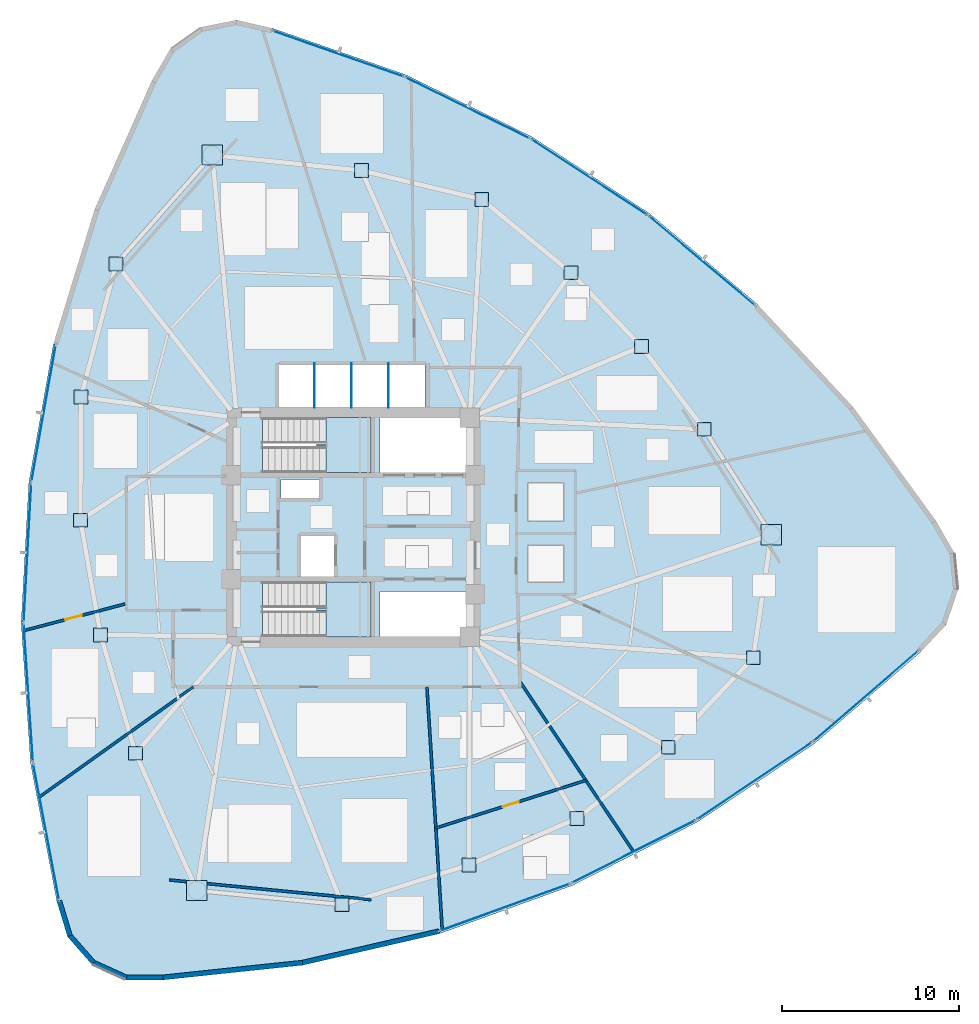
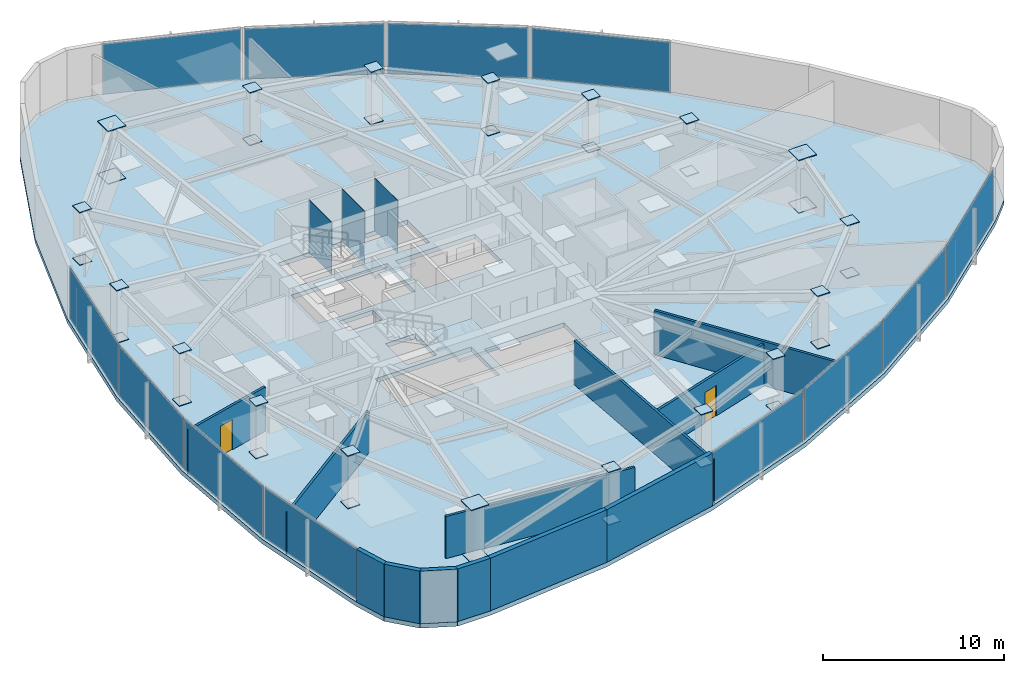
# One storey, part 10 of 17: 51 plates, 12 walls, 3 slabs, 2 doors, 2 openings, 14 elements without a shape of their own.
"""IFC4 building model written with IfcOpenShell, lengths in metres."""

from ifc_helpers import new_model, si_unit, direction, frame, frame_2d, origin, origin_2d, place, context, subcontext, project, spatial, polyline, rectangle, outline, extrude, source, transform, mapped, material, layer, layer_set, type_object, type_shapes, element, fill, aggregate, save


model = new_model("IFC4")

# Units and contexts
model_context = context("Model", 3, precision=1e-05, world=origin(), true_north=direction((0.0, 1.0)))
body_context = subcontext(model_context, "Body", "Model", "MODEL_VIEW")
ifc_project = project(units=[si_unit("LENGTHUNIT", "METRE"), si_unit("AREAUNIT", "SQUARE_METRE"), si_unit("VOLUMEUNIT", "CUBIC_METRE"), si_unit("PLANEANGLEUNIT", "RADIAN"), si_unit("MASSUNIT", "GRAM", prefix="KILO")], contexts=[model_context])

# Site, building, storey
site_placement = place(None, origin())
site = spatial("IfcSite", under=ifc_project, at=site_placement, CompositionType="ELEMENT")
building_placement = place(site_placement, origin())
building = spatial("IfcBuilding", under=site, at=building_placement, Name="Tavelor Broadcast Tower", CompositionType="ELEMENT")
storey_placement = place(building_placement, frame((0.0, 0.0, 131.0)))
storey = spatial("IfcBuildingStorey", under=building, at=storey_placement, Name="L30", CompositionType="ELEMENT", Elevation=131.0)

# Stair, slab
ifc_material_1 = material(Name="Concrete C40/50", Category="concrete")
stair_type = type_object("IfcStairType", Name="Reinforced Concrete Protected Dogleg Stair 1450 mm", PredefinedType="HALF_TURN_STAIR", material=ifc_material_1)
stair_1_placement = place(storey_placement, origin())
stair_1 = element("IfcStair", 1, at=stair_1_placement, inside=storey, type_object=stair_type, Name="L30 Protected Core Exit Stair ST1", PredefinedType="HALF_TURN_STAIR")
ifc_layer_1 = layer(ifc_material_1, 0.199951171875)
ifc_layer_set_1 = layer_set([ifc_layer_1], Name="Concrete C40/50")
slab_type_1 = type_object("IfcSlabType", Name="Reinforced Concrete Stair Half-Landing Slab 200 mm", PredefinedType="LANDING", material=ifc_layer_set_1)
slab_1_placement = place(storey_placement, frame((0.0, 0.0, 1.72509765625)))
slab_1 = element("IfcSlab", 2, at=slab_1_placement, type_object=slab_type_1, Name="ST1 landing 1", PredefinedType="LANDING", context=body_context, shape_type="SweptSolid", body=[
    extrude(outline(polyline([(48.445068359375, 49.590087890625), (48.445068359375, 48.094970703125), (51.0048828125, 48.094970703125), (51.0048828125, 51.205078125), (48.445068359375, 51.205078125), (48.445068359375, 49.7099609375), (47.905029296875, 49.7099609375), (47.905029296875, 49.590087890625), (48.445068359375, 49.590087890625)])), origin(), (0.0, 0.0, 1.0), 0.199951171875),
])
aggregate(stair_1, [slab_1])

stair_2_placement = place(storey_placement, origin())
stair_2 = element("IfcStair", 3, at=stair_2_placement, inside=storey, type_object=stair_type, Name="L30 Protected Core Exit Stair ST2", PredefinedType="HALF_TURN_STAIR")
slab_2_placement = place(storey_placement, frame((0.0, 0.0, 1.72509765625)))
slab_2 = element("IfcSlab", 4, at=slab_2_placement, type_object=slab_type_1, Name="ST2 landing 1", PredefinedType="LANDING", context=body_context, shape_type="SweptSolid", body=[
    extrude(outline(polyline([(48.445068359375, 40.2900390625), (48.445068359375, 38.794921875), (51.0048828125, 38.794921875), (51.0048828125, 41.905029296875), (48.445068359375, 41.905029296875), (48.445068359375, 40.409912109375), (47.905029296875, 40.409912109375), (47.905029296875, 40.2900390625), (48.445068359375, 40.2900390625)])), origin(), (0.0, 0.0, 1.0), 0.199951171875),
])
aggregate(stair_2, [slab_2])

# Slab
ifc_layer_2 = layer(ifc_material_1, 0.300048828125)
ifc_layer_set_2 = layer_set([ifc_layer_2], Name="Concrete C40/50")
slab_type_2 = type_object("IfcSlabType", Name="Tower Composite Floor Slab 300 mm", PredefinedType="FLOOR", material=ifc_layer_set_2)
slab_3_placement = place(storey_placement, frame((0.0, 0.0, -0.300048828125)))
element("IfcSlab", 5, at=slab_3_placement, inside=storey, type_object=slab_type_2, Name="L30 Structural Floor Slab", PredefinedType="FLOOR", context=body_context, shape_type="SweptSolid", body=[
    extrude(outline(polyline([(45.437744140625, 73.257080078125), (43.39794921875, 73.72998046875), (41.34423828125, 73.3212890625), (39.640625, 72.10400390625), (38.5888671875, 70.293212890625), (35.35009765625, 63.010986328125), (33.016357421875, 55.39013671875), (31.6220703125, 47.54296875), (31.187744140625, 39.584716796875), (31.719482421875, 31.63232421875), (33.209716796875, 23.802734375), (33.8203125, 21.7998046875), (35.20068359375, 20.2255859375), (37.10693359375, 19.35888671875), (39.200927734375, 19.353271484375), (47.126953125, 20.189697265625), (54.893798828125, 21.97900390625), (62.38671875, 24.6953125), (69.49609375, 28.298095703125), (76.116943359375, 32.73486328125), (82.152587890625, 37.940185546875), (83.581787109375, 39.47021484375), (84.2548828125, 41.453125), (84.052490234375, 43.537109375), (83.01025390625, 45.353515625), (78.322998046875, 51.79931640625), (72.889892578125, 57.630859375), (66.791259765625, 62.761962890625), (60.1162109375, 67.1171875), (52.96337890625, 70.6328125), (45.437744140625, 73.257080078125)]), holes=[polyline([(56.60009765625, 41.35009765625), (56.60009765625, 38.800048828125), (51.52001953125, 38.800048828125), (51.52001953125, 41.35009765625), (56.60009765625, 41.35009765625)]), polyline([(50.99609375, 38.803955078125), (44.85400390625, 38.803955078125), (44.85400390625, 41.89599609375), (50.99609375, 41.89599609375), (50.99609375, 38.803955078125)]), polyline([(47.050048828125, 42.199951171875), (47.050048828125, 44.550048828125), (48.949951171875, 44.550048828125), (48.949951171875, 42.199951171875), (47.050048828125, 42.199951171875)]), polyline([(48.050048828125, 46.64990234375), (45.89990234375, 46.64990234375), (45.89990234375, 47.699951171875), (48.050048828125, 47.699951171875), (48.050048828125, 46.64990234375)]), polyline([(50.99609375, 48.10400390625), (44.85400390625, 48.10400390625), (44.85400390625, 51.196044921875), (50.99609375, 51.196044921875), (50.99609375, 48.10400390625)]), polyline([(56.60009765625, 48.10009765625), (51.52001953125, 48.10009765625), (51.52001953125, 51.199951171875), (56.60009765625, 51.199951171875), (56.60009765625, 48.10009765625)]), polyline([(54.050048828125, 51.800048828125), (45.800048828125, 51.800048828125), (45.800048828125, 54.25), (54.050048828125, 54.25), (54.050048828125, 51.800048828125)])]), origin(), (0.0, 0.0, 1.0), 0.300048828125),
])

# Plates
ifc_material_2 = material(Name="Steel S460", Category="steel")
ifc_layer_3 = layer(ifc_material_2, 0.050048828125)
ifc_layer_set_3 = layer_set([ifc_layer_3], Name="Steel S460")
plate_type_1 = type_object("IfcPlateType", Name="Tube Hollow-End Cap Plate KN05 700x700x50", PredefinedType="USERDEFINED", material=ifc_layer_set_3)
shared_shape_1 = source(origin(), body_context, "Body", "SweptSolid", [
    extrude(rectangle(XDim=1.14697265625, YDim=1.14697265625, at=origin_2d()), origin(), (0.0, 0.0, 1.0), 0.054931640625),
])
for number, where, z_axis, x_axis, name in (
    (6, (42.01123046875, 66.080078125, -0.02734375), (0.0, 0.0, 1.0), (1.0, 0.0, 0.0), "L30 Hollow End Cap Plate KN05 #855"),
    (7, (42.01123046875, 66.080078125, 3.5224609375), (0.0, 0.0, 1.0), (1.0, 0.0, 0.0), "L30 Hollow End Cap Plate KN05 #856"),
    (8, (41.138671875, 24.423828125, -0.02734375), (0.0, 0.0, 1.0), (1.0, 0.0, 0.0), "L30 Hollow End Cap Plate KN05 #867"),
    (9, (41.138671875, 24.423828125, 3.5224609375), (0.0, 0.0, 1.0), (1.0, 0.0, 0.0), "L30 Hollow End Cap Plate KN05 #868"),
    (10, (73.676025390625, 44.57958984375, -0.02734375), (0.0, 0.0, 1.0), (1.0, 0.0, 0.0), "L30 Hollow End Cap Plate KN05 #879"),
    (11, (73.676025390625, 44.57958984375, 3.5224609375), (0.0, 0.0, 1.0), (1.0, 0.0, 0.0), "L30 Hollow End Cap Plate KN05 #880"),
):
    element("IfcPlate", number, at=place(storey_placement, frame(where, z_axis=z_axis, x_axis=x_axis)), inside=storey, type_object=plate_type_1, Name=name, ObjectType="CAP PLATE", PredefinedType="USERDEFINED", context=body_context, shape_type="MappedRepresentation", body=[
        mapped(shared_shape_1, transform((0.0, 0.0, 0.0), scale=1.0)),
    ])
shared_shape_2 = source(origin(), body_context, "Body", "SweptSolid", [
    extrude(rectangle(XDim=0.780029296875, YDim=0.780029296875, at=origin_2d()), origin(), (0.0, 0.0, 1.0), 0.054931640625),
])
type_shapes(plate_type_1, [shared_shape_1, shared_shape_2])
for number, where, z_axis, x_axis, name in (
    (12, (36.567626953125, 59.91064453125, -0.02734375), (0.0, 0.0, 1.0), (1.0, 0.0, 0.0), "L30 Hollow End Cap Plate KN05 #857"),
    (13, (36.567626953125, 59.91064453125, 3.5224609375), (0.0, 0.0, 1.0), (1.0, 0.0, 0.0), "L30 Hollow End Cap Plate KN05 #858"),
    (14, (34.5751953125, 52.37939453125, -0.02734375), (0.0, 0.0, 1.0), (1.0, 0.0, 0.0), "L30 Hollow End Cap Plate KN05 #859"),
    (15, (34.5751953125, 52.37939453125, 3.5224609375), (0.0, 0.0, 1.0), (1.0, 0.0, 0.0), "L30 Hollow End Cap Plate KN05 #860"),
    (16, (34.54638671875, 45.399169921875, -0.02734375), (0.0, 0.0, 1.0), (1.0, 0.0, 0.0), "L30 Hollow End Cap Plate KN05 #861"),
    (17, (34.54638671875, 45.399169921875, 3.5224609375), (0.0, 0.0, 1.0), (1.0, 0.0, 0.0), "L30 Hollow End Cap Plate KN05 #862"),
    (18, (35.680908203125, 38.89990234375, -0.02734375), (0.0, 0.0, 1.0), (1.0, 0.0, 0.0), "L30 Hollow End Cap Plate KN05 #863"),
    (19, (35.680908203125, 38.89990234375, 3.5224609375), (0.0, 0.0, 1.0), (1.0, 0.0, 0.0), "L30 Hollow End Cap Plate KN05 #864"),
    (20, (37.668212890625, 32.1904296875, -0.02734375), (0.0, 0.0, 1.0), (1.0, 0.0, 0.0), "L30 Hollow End Cap Plate KN05 #865"),
    (21, (37.668212890625, 32.1904296875, 3.5224609375), (0.0, 0.0, 1.0), (1.0, 0.0, 0.0), "L30 Hollow End Cap Plate KN05 #866"),
    (22, (49.366455078125, 23.618896484375, -0.02734375), (0.0, 0.0, 1.0), (1.0, 0.0, 0.0), "L30 Hollow End Cap Plate KN05 #869"),
    (23, (49.366455078125, 23.618896484375, 3.5224609375), (0.0, 0.0, 1.0), (1.0, 0.0, 0.0), "L30 Hollow End Cap Plate KN05 #870"),
    (24, (56.56103515625, 25.872802734375, -0.02734375), (0.0, 0.0, 1.0), (1.0, 0.0, 0.0), "L30 Hollow End Cap Plate KN05 #871"),
    (25, (56.56103515625, 25.872802734375, 3.5224609375), (0.0, 0.0, 1.0), (1.0, 0.0, 0.0), "L30 Hollow End Cap Plate KN05 #872"),
    (26, (62.669189453125, 28.503173828125, -0.02734375), (0.0, 0.0, 1.0), (1.0, 0.0, 0.0), "L30 Hollow End Cap Plate KN05 #873"),
    (27, (62.669189453125, 28.503173828125, 3.5224609375), (0.0, 0.0, 1.0), (1.0, 0.0, 0.0), "L30 Hollow End Cap Plate KN05 #874"),
    (28, (67.84228515625, 32.53173828125, -0.02734375), (0.0, 0.0, 1.0), (1.0, 0.0, 0.0), "L30 Hollow End Cap Plate KN05 #875"),
    (29, (67.84228515625, 32.53173828125, 3.5224609375), (0.0, 0.0, 1.0), (1.0, 0.0, 0.0), "L30 Hollow End Cap Plate KN05 #876"),
    (30, (72.6591796875, 37.607421875, -0.02734375), (0.0, 0.0, 1.0), (1.0, 0.0, 0.0), "L30 Hollow End Cap Plate KN05 #877"),
    (31, (72.6591796875, 37.607421875, 3.5224609375), (0.0, 0.0, 1.0), (1.0, 0.0, 0.0), "L30 Hollow End Cap Plate KN05 #878"),
    (32, (69.885986328125, 50.544189453125, -0.02734375), (0.0, 0.0, 1.0), (1.0, 0.0, 0.0), "L30 Hollow End Cap Plate KN05 #881"),
    (33, (69.885986328125, 50.544189453125, 3.5224609375), (0.0, 0.0, 1.0), (1.0, 0.0, 0.0), "L30 Hollow End Cap Plate KN05 #882"),
    (34, (66.322021484375, 55.228759765625, -0.02734375), (0.0, 0.0, 1.0), (1.0, 0.0, 0.0), "L30 Hollow End Cap Plate KN05 #883"),
    (35, (66.322021484375, 55.228759765625, 3.5224609375), (0.0, 0.0, 1.0), (1.0, 0.0, 0.0), "L30 Hollow End Cap Plate KN05 #884"),
    (36, (62.330810546875, 59.416259765625, -0.02734375), (0.0, 0.0, 1.0), (1.0, 0.0, 0.0), "L30 Hollow End Cap Plate KN05 #885"),
    (37, (62.330810546875, 59.416259765625, 3.5224609375), (0.0, 0.0, 1.0), (1.0, 0.0, 0.0), "L30 Hollow End Cap Plate KN05 #886"),
    (38, (57.276611328125, 63.568359375, -0.02734375), (0.0, 0.0, 1.0), (1.0, 0.0, 0.0), "L30 Hollow End Cap Plate KN05 #887"),
    (39, (57.276611328125, 63.568359375, 3.5224609375), (0.0, 0.0, 1.0), (1.0, 0.0, 0.0), "L30 Hollow End Cap Plate KN05 #888"),
    (40, (50.472412109375, 65.2021484375, -0.02734375), (0.0, 0.0, 1.0), (1.0, 0.0, 0.0), "L30 Hollow End Cap Plate KN05 #889"),
    (41, (50.472412109375, 65.2021484375, 3.5224609375), (0.0, 0.0, 1.0), (1.0, 0.0, 0.0), "L30 Hollow End Cap Plate KN05 #890"),
):
    element("IfcPlate", number, at=place(storey_placement, frame(where, z_axis=z_axis, x_axis=x_axis)), inside=storey, type_object=plate_type_1, Name=name, ObjectType="CAP PLATE", PredefinedType="USERDEFINED", context=body_context, shape_type="MappedRepresentation", body=[
        mapped(shared_shape_2, transform((0.0, 0.0, 0.0), scale=1.0)),
    ])
ifc_material_3 = material(Name="Steel S355", Category="steel")
ifc_layer_4 = layer(ifc_material_3, 0.011962890625)
ifc_layer_set_4 = layer_set([ifc_layer_4], Name="Steel S355")
plate_type_2 = type_object("IfcPlateType", Name="Hoistway Steel Separator Screen 12 mm", PredefinedType="SHEET", material=ifc_layer_set_4)
shared_shape_3 = source(origin(), body_context, "Body", "SweptSolid", [
    extrude(rectangle(XDim=0.02001953125, YDim=2.52001953125, at=origin_2d()), origin(), (0.0, 0.0, 1.0), 3.550048828125),
])
type_shapes(plate_type_2, [shared_shape_3])
for number, where, z_axis, x_axis, name in (
    (42, (47.800048828125, 53.0400390625, 0.0), (0.0, 0.0, 1.0), (1.0, 0.0, 0.0), "L30 High-Rise Hoistway Separator Screen 1"),
    (43, (49.89990234375, 53.0400390625, 0.0), (0.0, 0.0, 1.0), (1.0, 0.0, 0.0), "L30 High-Rise Hoistway Separator Screen 2"),
    (44, (52.0, 53.0400390625, 0.0), (0.0, 0.0, 1.0), (1.0, 0.0, 0.0), "L30 High-Rise Hoistway Separator Screen 3"),
):
    element("IfcPlate", number, at=place(storey_placement, frame(where, z_axis=z_axis, x_axis=x_axis)), inside=storey, type_object=plate_type_2, Name=name, PredefinedType="SHEET", context=body_context, shape_type="MappedRepresentation", body=[
        mapped(shared_shape_3, transform((0.0, 0.0, 0.0), scale=1.0)),
    ])

# Curtain wall, plate
ifc_material_4 = material(Name="Architectural Anodized Aluminium", Category="aluminium")
ifc_layer_5 = layer(ifc_material_4, 0.18994140625)
ifc_layer_set_5 = layer_set([ifc_layer_5], Name="Architectural Anodized Aluminium")
curtain_wall_type = type_object("IfcCurtainWallType", Name="Tower Mid-Zone Acoustic Curtain Wall CW03", PredefinedType="NOTDEFINED", material=ifc_layer_set_5)
curtain_wall_1_placement = place(storey_placement, origin())
curtain_wall_1 = element("IfcCurtainWall", 45, at=curtain_wall_1_placement, inside=storey, type_object=curtain_wall_type, Name="L30 Curtain Wall CW03 Run 301", PredefinedType="NOTDEFINED")
ifc_material_5 = material(Name="Solar Control Double Glazing 30 mm", Category="glass")
ifc_layer_6 = layer(ifc_material_5, 0.030029296875)
ifc_layer_set_6 = layer_set([ifc_layer_6], Name="Solar Control Double Glazing 30 mm")
plate_type_3 = type_object("IfcPlateType", Name="CW03 Insulated Vision Glazing Panel 30 mm", PredefinedType="CURTAIN_PANEL", material=ifc_layer_set_6)
shared_shape_4 = source(origin(), body_context, "Body", "SweptSolid", [
    extrude(rectangle(XDim=7.802001953125, YDim=0.030029296875, at=origin_2d()), origin(), (0.0, 0.0, 1.0), 3.4140625),
])
plate_1_placement = place(storey_placement, frame((32.45849609375, 51.449462890625, 0.06787109375), z_axis=(0.0, 0.0, 1.0), x_axis=(-0.174940797866, -0.984578954296, 0.0)))
plate_1 = element("IfcPlate", 46, at=plate_1_placement, type_object=plate_type_3, Name="CW03 panel 1.1", PredefinedType="CURTAIN_PANEL", context=body_context, shape_type="MappedRepresentation", body=[
    mapped(shared_shape_4, transform((0.0, 0.0, 0.0), scale=1.0)),
])
aggregate(curtain_wall_1, [plate_1])

curtain_wall_2_placement = place(storey_placement, origin())
curtain_wall_2 = element("IfcCurtainWall", 47, at=curtain_wall_2_placement, inside=storey, type_object=curtain_wall_type, Name="L30 Curtain Wall CW03 Run 305", PredefinedType="NOTDEFINED")
plate_2_placement = place(storey_placement, frame((58.58544921875, 23.46630859375, 0.06787109375), z_axis=(0.0, 0.0, 1.0), x_axis=(0.940140151765, 0.340788050023, 0.0)))
plate_2 = element("IfcPlate", 48, at=plate_2_placement, type_object=plate_type_3, Name="CW03 panel 1.1", PredefinedType="CURTAIN_PANEL", context=body_context, shape_type="MappedRepresentation", body=[
    mapped(shared_shape_4, transform((0.0, 0.0, 0.0), scale=1.0)),
])
aggregate(curtain_wall_2, [plate_2])

curtain_wall_3_placement = place(storey_placement, origin())
curtain_wall_3 = element("IfcCurtainWall", 49, at=curtain_wall_3_placement, inside=storey, type_object=curtain_wall_type, Name="L30 Curtain Wall CW03 Run 309", PredefinedType="NOTDEFINED")
plate_3_placement = place(storey_placement, frame((69.756103515625, 60.084228515625, 0.06787109375), z_axis=(0.0, 0.0, 1.0), x_axis=(-0.765197618699, 0.643795467783, 0.0)))
plate_3 = element("IfcPlate", 50, at=plate_3_placement, type_object=plate_type_3, Name="CW03 panel 1.1", PredefinedType="CURTAIN_PANEL", context=body_context, shape_type="MappedRepresentation", body=[
    mapped(shared_shape_4, transform((0.0, 0.0, 0.0), scale=1.0)),
])
aggregate(curtain_wall_3, [plate_3])

curtain_wall_4_placement = place(storey_placement, origin())
curtain_wall_4 = element("IfcCurtainWall", 51, at=curtain_wall_4_placement, inside=storey, type_object=curtain_wall_type, Name="L30 Curtain Wall CW03 Run 302", PredefinedType="NOTDEFINED")
shared_shape_5 = source(origin(), body_context, "Body", "SweptSolid", [
    extrude(rectangle(XDim=7.787109375, YDim=0.030029296875, at=origin_2d()), origin(), (0.0, 0.0, 1.0), 3.4140625),
])
plate_4_placement = place(storey_placement, frame((31.544677734375, 43.55615234375, 0.06787109375), z_axis=(0.0, 0.0, 1.0), x_axis=(-0.054499041717, -0.998513822865, 0.0)))
plate_4 = element("IfcPlate", 52, at=plate_4_placement, type_object=plate_type_3, Name="CW03 panel 1.1", PredefinedType="CURTAIN_PANEL", context=body_context, shape_type="MappedRepresentation", body=[
    mapped(shared_shape_5, transform((0.0, 0.0, 0.0), scale=1.0)),
])
aggregate(curtain_wall_4, [plate_4])

curtain_wall_5_placement = place(storey_placement, origin())
curtain_wall_5 = element("IfcCurtainWall", 53, at=curtain_wall_5_placement, inside=storey, type_object=curtain_wall_type, Name="L30 Curtain Wall CW03 Run 303", PredefinedType="NOTDEFINED")
plate_5_placement = place(storey_placement, frame((31.59326171875, 35.617919921875, 0.06787109375), z_axis=(0.0, 0.0, 1.0), x_axis=(0.06671586704, -0.997772014583, 0.0)))
plate_5 = element("IfcPlate", 54, at=plate_5_placement, type_object=plate_type_3, Name="CW03 panel 1.1", PredefinedType="CURTAIN_PANEL", context=body_context, shape_type="MappedRepresentation", body=[
    mapped(shared_shape_5, transform((0.0, 0.0, 0.0), scale=1.0)),
])
aggregate(curtain_wall_5, [plate_5])

curtain_wall_6_placement = place(storey_placement, origin())
curtain_wall_6 = element("IfcCurtainWall", 55, at=curtain_wall_6_placement, inside=storey, type_object=curtain_wall_type, Name="L30 Curtain Wall CW03 Run 306", PredefinedType="NOTDEFINED")
plate_6_placement = place(storey_placement, frame((65.8779296875, 26.62158203125, 0.06787109375), z_axis=(0.0, 0.0, 1.0), x_axis=(0.891993299571, 0.452048618536, 0.0)))
plate_6 = element("IfcPlate", 56, at=plate_6_placement, type_object=plate_type_3, Name="CW03 panel 1.1", PredefinedType="CURTAIN_PANEL", context=body_context, shape_type="MappedRepresentation", body=[
    mapped(shared_shape_5, transform((0.0, 0.0, 0.0), scale=1.0)),
])
aggregate(curtain_wall_6, [plate_6])

curtain_wall_7_placement = place(storey_placement, origin())
curtain_wall_7 = element("IfcCurtainWall", 57, at=curtain_wall_7_placement, inside=storey, type_object=curtain_wall_type, Name="L30 Curtain Wall CW03 Run 307", PredefinedType="NOTDEFINED")
plate_7_placement = place(storey_placement, frame((72.728515625, 30.6328125, 0.06787109375), z_axis=(0.0, 0.0, 1.0), x_axis=(0.830727545056, 0.556679212729, 0.0)))
plate_7 = element("IfcPlate", 58, at=plate_7_placement, type_object=plate_type_3, Name="CW03 panel 1.1", PredefinedType="CURTAIN_PANEL", context=body_context, shape_type="MappedRepresentation", body=[
    mapped(shared_shape_5, transform((0.0, 0.0, 0.0), scale=1.0)),
])
aggregate(curtain_wall_7, [plate_7])

curtain_wall_8_placement = place(storey_placement, origin())
curtain_wall_8 = element("IfcCurtainWall", 59, at=curtain_wall_8_placement, inside=storey, type_object=curtain_wall_type, Name="L30 Curtain Wall CW03 Run 310", PredefinedType="NOTDEFINED")
plate_8_placement = place(storey_placement, frame((63.377197265625, 64.822265625, 0.06787109375), z_axis=(0.0, 0.0, 1.0), x_axis=(-0.837483524663, 0.546462575039, 0.0)))
plate_8 = element("IfcPlate", 60, at=plate_8_placement, type_object=plate_type_3, Name="CW03 panel 1.1", PredefinedType="CURTAIN_PANEL", context=body_context, shape_type="MappedRepresentation", body=[
    mapped(shared_shape_5, transform((0.0, 0.0, 0.0), scale=1.0)),
])
aggregate(curtain_wall_8, [plate_8])

curtain_wall_9_placement = place(storey_placement, origin())
curtain_wall_9 = element("IfcCurtainWall", 61, at=curtain_wall_9_placement, inside=storey, type_object=curtain_wall_type, Name="L30 Curtain Wall CW03 Run 311", PredefinedType="NOTDEFINED")
plate_9_placement = place(storey_placement, frame((56.478271484375, 68.74951171875, 0.06787109375), z_axis=(0.0, 0.0, 1.0), x_axis=(-0.897458179673, 0.441099553092, 0.0)))
plate_9 = element("IfcPlate", 62, at=plate_9_placement, type_object=plate_type_3, Name="CW03 panel 1.1", PredefinedType="CURTAIN_PANEL", context=body_context, shape_type="MappedRepresentation", body=[
    mapped(shared_shape_5, transform((0.0, 0.0, 0.0), scale=1.0)),
])
aggregate(curtain_wall_9, [plate_9])

curtain_wall_10_placement = place(storey_placement, origin())
curtain_wall_10 = element("IfcCurtainWall", 63, at=curtain_wall_10_placement, inside=storey, type_object=curtain_wall_type, Name="L30 Curtain Wall CW03 Run 304", PredefinedType="NOTDEFINED")
shared_shape_6 = source(origin(), body_context, "Body", "SweptSolid", [
    extrude(rectangle(XDim=7.80322265625, YDim=0.030029296875, at=origin_2d()), origin(), (0.0, 0.0, 1.0), 3.4140625),
])
plate_10_placement = place(storey_placement, frame((32.603515625, 27.73583984375, 0.06787109375), z_axis=(0.0, 0.0, 1.0), x_axis=(0.186973193071, -0.98236501621, 0.0)))
plate_10 = element("IfcPlate", 64, at=plate_10_placement, type_object=plate_type_3, Name="CW03 panel 1.1", PredefinedType="CURTAIN_PANEL", context=body_context, shape_type="MappedRepresentation", body=[
    mapped(shared_shape_6, transform((0.0, 0.0, 0.0), scale=1.0)),
])
aggregate(curtain_wall_10, [plate_10])

curtain_wall_11_placement = place(storey_placement, origin())
curtain_wall_11 = element("IfcCurtainWall", 65, at=curtain_wall_11_placement, inside=storey, type_object=curtain_wall_type, Name="L30 Curtain Wall CW03 Run 308", PredefinedType="NOTDEFINED")
shared_shape_7 = source(origin(), body_context, "Body", "SweptSolid", [
    extrude(rectangle(XDim=7.802978515625, YDim=0.030029296875, at=origin_2d()), origin(), (0.0, 0.0, 1.0), 3.4140625),
])
type_shapes(plate_type_3, [shared_shape_4, shared_shape_5, shared_shape_6, shared_shape_7])
plate_11_placement = place(storey_placement, frame((79.04931640625, 35.44873046875, 0.06787109375), z_axis=(0.0, 0.0, 1.0), x_axis=(0.757264950297, 0.65310779742, 0.0)))
plate_11 = element("IfcPlate", 66, at=plate_11_placement, type_object=plate_type_3, Name="CW03 panel 1.1", PredefinedType="CURTAIN_PANEL", context=body_context, shape_type="MappedRepresentation", body=[
    mapped(shared_shape_7, transform((0.0, 0.0, 0.0), scale=1.0)),
])
aggregate(curtain_wall_11, [plate_11])

curtain_wall_12_placement = place(storey_placement, origin())
curtain_wall_12 = element("IfcCurtainWall", 67, at=curtain_wall_12_placement, inside=storey, type_object=curtain_wall_type, Name="L30 Curtain Wall CW03 Run 312", PredefinedType="NOTDEFINED")
plate_12_placement = place(storey_placement, frame((49.14697265625, 71.8154296875, 0.06787109375), z_axis=(0.0, 0.0, 1.0), x_axis=(-0.944240257892, 0.329257248025, 0.0)))
plate_12 = element("IfcPlate", 68, at=plate_12_placement, type_object=plate_type_3, Name="CW03 panel 1.1", PredefinedType="CURTAIN_PANEL", context=body_context, shape_type="MappedRepresentation", body=[
    mapped(shared_shape_7, transform((0.0, 0.0, 0.0), scale=1.0)),
])
aggregate(curtain_wall_12, [plate_12])

# Walls
ifc_material_6 = material(Name="Precast Concrete C40/50", Category="concrete")
ifc_layer_7 = layer(ifc_material_6, 0.280029296875)
ifc_layer_set_7 = layer_set([ifc_layer_7], Name="Precast Concrete C40/50")
wall_type_1 = type_object("IfcWallType", Name="Insulated Precast Terracotta Facade Wall 280 mm", PredefinedType="STANDARD", material=ifc_layer_set_7)
wall_1_placement = place(storey_placement, frame((33.3447265625, 23.840087890625, 0.0), z_axis=(0.0, 0.0, 1.0), x_axis=(0.291522058239, -0.956564106352, 0.0)))
element("IfcWall", 69, at=wall_1_placement, inside=storey, type_object=wall_type_1, Name="L30 Rounded Corner Structural Cladding Pier 11", PredefinedType="STANDARD", context=body_context, shape_type="SweptSolid", body=[
    extrude(rectangle(XDim=2.0751953125, YDim=0.280029296875, at=frame_2d((1.03759765625, 0.0))), origin(), (0.0, 0.0, 1.0), 3.550048828125),
])
for number, where, z_axis, x_axis, name in (
    (70, (33.935302734375, 21.880615234375, 0.0), (0.0, 0.0, 1.0), (0.659400284364, -0.751792035726, 0.0), "L30 Rounded Corner Structural Cladding Pier 12"),
    (71, (35.2724609375, 20.3466796875, 0.0), (0.0, 0.0, 1.0), (0.910309750278, -0.413927721406, 0.0), "L30 Rounded Corner Structural Cladding Pier 13"),
):
    element("IfcWall", number, at=place(storey_placement, frame(where, z_axis=z_axis, x_axis=x_axis)), inside=storey, type_object=wall_type_1, Name=name, PredefinedType="STANDARD", context=body_context, shape_type="SweptSolid", body=[
        extrude(rectangle(XDim=2.063720703125, YDim=0.280029296875, at=frame_2d((1.03173828125, 0.0))), origin(), (0.0, 0.0, 1.0), 3.550048828125),
    ])
wall_2_placement = place(storey_placement, frame((37.12255859375, 19.498779296875, 0.0), z_axis=(0.0, 0.0, 1.0), x_axis=(0.999996685721, -0.002574596499, 0.0)))
element("IfcWall", 72, at=wall_2_placement, inside=storey, type_object=wall_type_1, Name="L30 Rounded Corner Structural Cladding Pier 14", PredefinedType="STANDARD", context=body_context, shape_type="SweptSolid", body=[
    extrude(rectangle(XDim=2.086181640625, YDim=0.280029296875, at=frame_2d((1.04296875, 0.0))), origin(), (0.0, 0.0, 1.0), 3.550048828125),
])
wall_3_placement = place(storey_placement, frame((39.1787109375, 19.49169921875, 0.0), z_axis=(0.0, 0.0, 1.0), x_axis=(0.994478276555, 0.104942638906, 0.0)))
element("IfcWall", 73, at=wall_3_placement, inside=storey, type_object=wall_type_1, Name="L30 Rounded Corner Structural Cladding Pier 15", PredefinedType="STANDARD", context=body_context, shape_type="SweptSolid", body=[
    extrude(rectangle(XDim=7.984375, YDim=0.280029296875, at=frame_2d((3.9921875, 0.0))), origin(), (0.0, 0.0, 1.0), 3.550048828125),
])
wall_4_placement = place(storey_placement, frame((47.089111328125, 20.32470703125, 0.0), z_axis=(0.0, 0.0, 1.0), x_axis=(0.97447371049, 0.224501642676, 0.0)))
element("IfcWall", 74, at=wall_4_placement, inside=storey, type_object=wall_type_1, Name="L30 Rounded Corner Structural Cladding Pier 16", PredefinedType="STANDARD", context=body_context, shape_type="SweptSolid", body=[
    extrude(rectangle(XDim=7.972412109375, YDim=0.280029296875, at=frame_2d((3.986328125, 0.0))), origin(), (0.0, 0.0, 1.0), 3.550048828125),
])
ifc_material_7 = material(Name="Gypsum Acoustic Plasterboard 150 mm", Category="gypsum")
ifc_layer_8 = layer(ifc_material_7, 0.14990234375)
ifc_layer_set_8 = layer_set([ifc_layer_8], Name="Gypsum Acoustic Plasterboard 150 mm")
wall_type_2 = type_object("IfcWallType", Name="Interior Acoustic Partition Wall 150 mm", PredefinedType="PARTITIONING", material=ifc_layer_set_8)
wall_5_placement = place(storey_placement, frame((39.589111328125, 25.017578125, 0.0), z_axis=(0.0, 0.0, 1.0), x_axis=(0.99524905582, -0.097361783517, 0.0)))
element("IfcWall", 75, at=wall_5_placement, inside=storey, type_object=wall_type_2, Name="L30 Corner Tube Brace Furring Wall 2", PredefinedType="PARTITIONING", context=body_context, shape_type="SweptSolid", body=[
    extrude(rectangle(XDim=11.467041015625, YDim=0.14990234375, at=frame_2d((5.7333984375, 0.0))), origin(), (0.0, 0.0, 1.0), 2.8349609375),
])

# Wall, opening, door
wall_6_placement = place(storey_placement, frame((37.080078125, 40.652587890625, 0.0), z_axis=(0.0, 0.0, 1.0), x_axis=(-0.967066534505, -0.254523707817, 0.0)))
wall_6 = element("IfcWall", 76, at=wall_6_placement, inside=storey, type_object=wall_type_2, Name="L30 Radial Compartment Wall 06", PredefinedType="PARTITIONING", context=body_context, shape_type="SweptSolid", body=[
    extrude(rectangle(XDim=5.927978515625, YDim=0.14990234375, at=frame_2d((2.9638671875, 0.0))), origin(), (0.0, 0.0, 1.0), 2.97509765625),
])
opening_1_placement = place(wall_6_placement, frame((2.550048828125, 0.0, 0.0)))
opening_1 = element("IfcOpeningElement", 77, at=opening_1_placement, cuts=wall_6, Name="Opening DR18", PredefinedType="OPENING", context=body_context, shape_type="SweptSolid", body=[
    extrude(rectangle(XDim=0.949951171875, YDim=2.050048828125, at=frame_2d((0.47509765625, 1.02490234375))), frame((0.0, 0.0849609375, 0.0), z_axis=(0.0, -1.0, 0.0), x_axis=(1.0, 0.0, 0.0)), (0.0, 0.0, 1.0), 0.169921875),
])
ifc_material_8 = material(Name="Timber Solid Core Hardwood", Category="wood")
door_type_1 = type_object("IfcDoorType", Name="Corridor Rated Compartment Door 950x2050", OperationType="NOTDEFINED", PredefinedType="DOOR", material=ifc_material_8)
door_1_placement = place(opening_1_placement, origin())
door_1 = element("IfcDoor", 78, at=door_1_placement, inside=storey, type_object=door_type_1, Name="L30 Suite Connecting Door 4", OperationType="SINGLE_SWING_RIGHT", OverallHeight=2.050048828125, OverallWidth=0.949951171875, PredefinedType="DOOR", context=body_context, shape_type="SweptSolid", body=[
    extrude(rectangle(XDim=0.949951171875, YDim=2.050048828125, at=frame_2d((0.47509765625, 1.02490234375))), frame((0.0, 0.02490234375, 0.0), z_axis=(0.0, -1.0, 0.0), x_axis=(1.0, 0.0, 0.0)), (0.0, 0.0, 1.0), 0.050048828125),
])
fill(opening_1, door_1)

# Walls
wall_7_placement = place(storey_placement, frame((40.93994140625, 35.949951171875, 0.0), z_axis=(0.0, 0.0, 1.0), x_axis=(-0.813522654168, -0.581533224464, 0.0)))
element("IfcWall", 79, at=wall_7_placement, inside=storey, type_object=wall_type_2, Name="L30 Radial Compartment Wall 07", PredefinedType="PARTITIONING", context=body_context, shape_type="SweptSolid", body=[
    extrude(rectangle(XDim=10.72265625, YDim=0.14990234375, at=frame_2d((5.361328125, 0.0))), origin(), (0.0, 0.0, 1.0), 2.8349609375),
])
wall_8_placement = place(storey_placement, frame((54.171142578125, 35.949951171875, 0.0), z_axis=(0.0, 0.0, 1.0), x_axis=(0.063004680166, -0.998013231514, 0.0)))
element("IfcWall", 80, at=wall_8_placement, inside=storey, type_object=wall_type_2, Name="L30 Radial Compartment Wall 08", PredefinedType="PARTITIONING", context=body_context, shape_type="SweptSolid", body=[
    extrude(rectangle(XDim=13.806396484375, YDim=0.14990234375, at=frame_2d((6.9033203125, 0.0))), origin(), (0.0, 0.0, 1.0), 2.97509765625),
])
wall_9_placement = place(storey_placement, frame((59.442138671875, 36.250732421875, 0.0), z_axis=(0.0, 0.0, 1.0), x_axis=(0.555322181909, -0.831635301247, 0.0)))
element("IfcWall", 81, at=wall_9_placement, inside=storey, type_object=wall_type_2, Name="L30 Radial Compartment Wall 09", PredefinedType="PARTITIONING", context=body_context, shape_type="SweptSolid", body=[
    extrude(rectangle(XDim=11.591552734375, YDim=0.14990234375, at=frame_2d((5.7958984375, 0.0))), origin(), (0.0, 0.0, 1.0), 2.97509765625),
])

# Wall, opening, door
wall_10_placement = place(storey_placement, frame((54.67578125, 27.9580078125, 0.0), z_axis=(0.0, 0.0, 1.0), x_axis=(0.953016691903, 0.302917785799, 0.0)))
wall_10 = element("IfcWall", 82, at=wall_10_placement, inside=storey, type_object=wall_type_2, Name="L30 Suite Chord Partition Wall 01", PredefinedType="PARTITIONING", context=body_context, shape_type="SweptSolid", body=[
    extrude(rectangle(XDim=8.918701171875, YDim=0.14990234375, at=frame_2d((4.45947265625, 0.0))), origin(), (0.0, 0.0, 1.0), 2.8349609375),
])
opening_2_placement = place(wall_10_placement, frame((3.984619140625, 0.0, 0.0)))
opening_2 = element("IfcOpeningElement", 83, at=opening_2_placement, cuts=wall_10, Name="Opening DR23", PredefinedType="OPENING", context=body_context, shape_type="SweptSolid", body=[
    extrude(rectangle(XDim=0.949951171875, YDim=2.050048828125, at=frame_2d((0.47509765625, 1.02490234375))), frame((0.0, 0.0849609375, 0.0), z_axis=(0.0, -1.0, 0.0), x_axis=(1.0, 0.0, 0.0)), (0.0, 0.0, 1.0), 0.169921875),
])
door_type_2 = type_object("IfcDoorType", Name="Editorial Room Acoustic Door 950x2050", OperationType="NOTDEFINED", PredefinedType="DOOR", material=ifc_material_8)
door_2_placement = place(opening_2_placement, origin())
door_2 = element("IfcDoor", 84, at=door_2_placement, inside=storey, type_object=door_type_2, Name="L30 Outer Suite Partition Door 1", OperationType="SINGLE_SWING_LEFT", OverallHeight=2.050048828125, OverallWidth=0.949951171875, PredefinedType="DOOR", context=body_context, shape_type="SweptSolid", body=[
    extrude(rectangle(XDim=0.949951171875, YDim=2.050048828125, at=frame_2d((0.47509765625, 1.02490234375))), frame((0.0, 0.02490234375, 0.0), z_axis=(0.0, -1.0, 0.0), x_axis=(1.0, 0.0, 0.0)), (0.0, 0.0, 1.0), 0.050048828125),
])
fill(opening_2, door_2)

save(model, "model.ifc")
